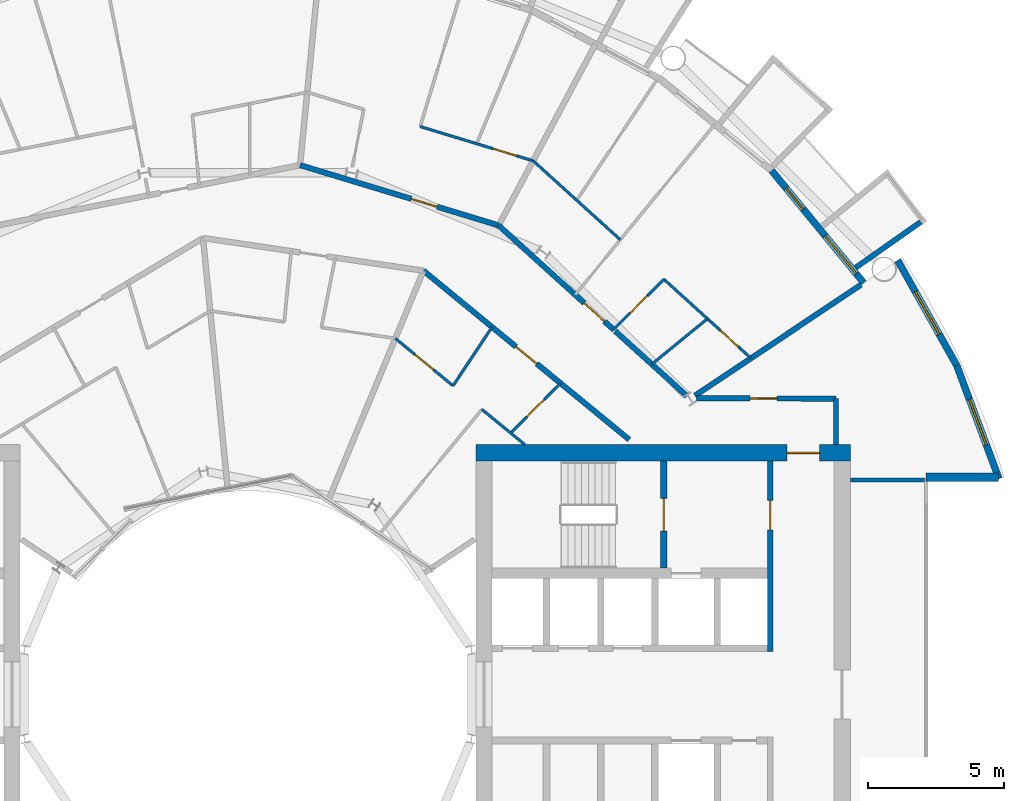
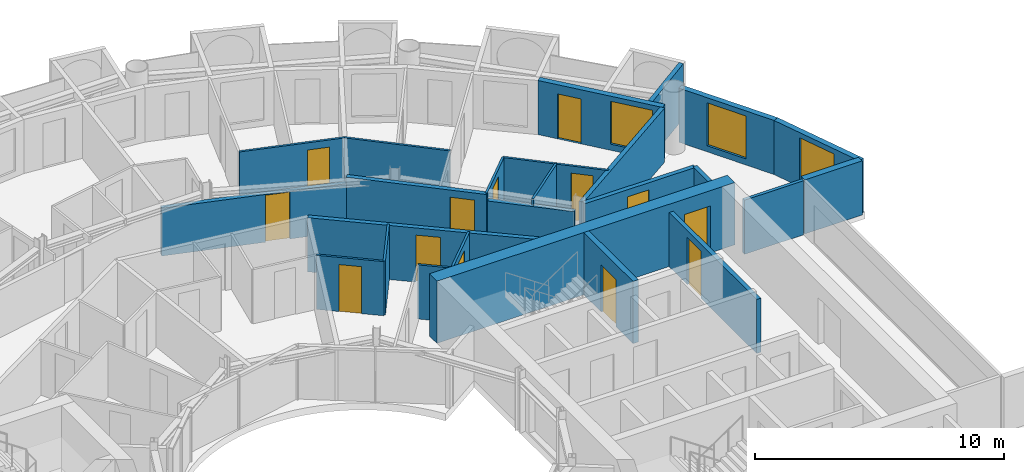
# One storey, part 22 of 27: 25 walls, 13 doors, 3 windows, 16 openings.
"""IFC4 building model written with IfcOpenShell, lengths in metres."""

from ifc_helpers import new_model, si_unit, direction, frame, frame_2d, origin, place, context, subcontext, project, spatial, rectangle, extrude, material, layer, layer_set, type_object, element, fill, save


model = new_model("IFC4")

# Units and contexts
model_context = context("Model", 3, precision=1e-05, world=origin(), true_north=direction((0.0, 1.0)))
body_context = subcontext(model_context, "Body", "Model", "MODEL_VIEW")
ifc_project = project(units=[si_unit("LENGTHUNIT", "METRE"), si_unit("AREAUNIT", "SQUARE_METRE"), si_unit("VOLUMEUNIT", "CUBIC_METRE"), si_unit("PLANEANGLEUNIT", "RADIAN"), si_unit("MASSUNIT", "GRAM", prefix="KILO")], contexts=[model_context])

# Site, building, storey
site_placement = place(None, origin())
site = spatial("IfcSite", under=ifc_project, at=site_placement, CompositionType="ELEMENT")
building_placement = place(site_placement, origin())
building = spatial("IfcBuilding", under=site, at=building_placement, Name="Maasbend Ring Residences", CompositionType="ELEMENT")
storey_placement = place(building_placement, frame((0.0, 0.0, 136.050048828125)))
storey = spatial("IfcBuildingStorey", under=building, at=storey_placement, Name="L39", CompositionType="ELEMENT", Elevation=136.050048828125)

# Wall, opening, door
ifc_material_1 = material(Name="Concrete C60/75", Category="concrete")
ifc_layer_1 = layer(ifc_material_1, 0.25)
ifc_layer_set_1 = layer_set([ifc_layer_1], Name="Concrete C60/75")
wall_type_1 = type_object("IfcWallType", Name="CORE WALL 250 C60/75", PredefinedType="SHEAR", material=ifc_layer_set_1)
wall_1_placement = place(storey_placement, frame((15.324951171875, 4.64990234375, 0.0), z_axis=(0.0, 0.0, 1.0), x_axis=(0.0, 1.0, 0.0)))
wall_1 = element("IfcWall", 1, at=wall_1_placement, inside=storey, type_object=wall_type_1, Name="L39 core E wall STEN", PredefinedType="SHEAR", context=body_context, shape_type="SweptSolid", body=[
    extrude(rectangle(XDim=3.9501953125, YDim=0.25, at=frame_2d((1.97509765625, 0.0))), origin(), (0.0, 0.0, 1.0), 3.050048828125),
])
opening_1_placement = place(wall_1_placement, frame((1.375, 0.0, 0.0)))
opening_1 = element("IfcOpeningElement", 2, at=opening_1_placement, cuts=wall_1, Name="Opening D-E3908", PredefinedType="OPENING", context=body_context, shape_type="SweptSolid", body=[
    extrude(rectangle(XDim=1.199951171875, YDim=2.300048828125, at=frame_2d((0.60009765625, 1.14990234375))), frame((0.0, 0.135009765625, 0.0), z_axis=(0.0, -1.0, 0.0), x_axis=(1.0, 0.0, 0.0)), (0.0, 0.0, 1.0), 0.27001953125),
])
ifc_material_2 = material(Name="Steel, powder coated", Category="steel")
door_type_1 = type_object("IfcDoorType", Name="STAIR DOOR 1200 X 2300 FD60", OperationType="NOTDEFINED", PredefinedType="DOOR", material=ifc_material_2)
door_1_placement = place(opening_1_placement, origin())
door_1 = element("IfcDoor", 3, at=door_1_placement, inside=storey, type_object=door_type_1, Name="Stair door ST-E L39", OperationType="SINGLE_SWING_LEFT", OverallHeight=2.300048828125, OverallWidth=1.199951171875, PredefinedType="DOOR", context=body_context, shape_type="SweptSolid", body=[
    extrude(rectangle(XDim=1.199951171875, YDim=2.300048828125, at=frame_2d((0.60009765625, 1.14990234375))), frame((0.0, 0.02490234375, 0.0), z_axis=(0.0, -1.0, 0.0), x_axis=(1.0, 0.0, 0.0)), (0.0, 0.0, 1.0), 0.050048828125),
])
fill(opening_1, door_1)

ifc_material_3 = material(Name="Concrete C60/75", Category="concrete")
ifc_layer_2 = layer(ifc_material_3, 0.60009765625)
ifc_layer_set_2 = layer_set([ifc_layer_2], Name="Concrete C60/75")
wall_type_2 = type_object("IfcWallType", Name="CORE WALL 600 C60/75", PredefinedType="SHEAR", material=ifc_layer_set_2)
wall_2_placement = place(storey_placement, frame((22.199951171875, 8.89990234375, 0.0), z_axis=(0.0, 0.0, 1.0), x_axis=(-1.0, 0.0, 0.0)))
wall_2 = element("IfcWall", 4, at=wall_2_placement, inside=storey, type_object=wall_type_2, Name="L39 core E wall PN", PredefinedType="SHEAR", context=body_context, shape_type="SweptSolid", body=[
    extrude(rectangle(XDim=13.800048828125, YDim=0.60009765625, at=frame_2d((6.89990234375, 0.0))), origin(), (0.0, 0.0, 1.0), 3.050048828125),
])
opening_2_placement = place(wall_2_placement, frame((1.125, 0.0, 0.0)))
opening_2 = element("IfcOpeningElement", 5, at=opening_2_placement, cuts=wall_2, Name="Opening D-E3912", PredefinedType="OPENING", context=body_context, shape_type="SweptSolid", body=[
    extrude(rectangle(XDim=1.199951171875, YDim=2.300048828125, at=frame_2d((0.60009765625, 1.14990234375))), frame((0.0, 0.31005859375, 0.0), z_axis=(0.0, -1.0, 0.0), x_axis=(1.0, 0.0, 0.0)), (0.0, 0.0, 1.0), 0.6201171875),
])
ifc_material_4 = material(Name="Steel, powder coated", Category="steel")
door_type_2 = type_object("IfcDoorType", Name="CORRIDOR DOOR 1200 X 2300 FD30S", OperationType="NOTDEFINED", PredefinedType="DOOR", material=ifc_material_4)
door_2_placement = place(opening_2_placement, origin())
door_2 = element("IfcDoor", 6, at=door_2_placement, inside=storey, type_object=door_type_2, Name="Corridor door L39", OperationType="SINGLE_SWING_RIGHT", OverallHeight=2.300048828125, OverallWidth=1.199951171875, PredefinedType="DOOR", context=body_context, shape_type="SweptSolid", body=[
    extrude(rectangle(XDim=1.199951171875, YDim=2.300048828125, at=frame_2d((0.60009765625, 1.14990234375))), frame((0.0, 0.02490234375, 0.0), z_axis=(0.0, -1.0, 0.0), x_axis=(1.0, 0.0, 0.0)), (0.0, 0.0, 1.0), 0.050048828125),
])
fill(opening_2, door_2)

# Wall
ifc_material_5 = material(Name="Concrete C30/37", Category="concrete")
ifc_layer_3 = layer(ifc_material_5, 0.199951171875)
ifc_layer_set_3 = layer_set([ifc_layer_3], Name="Concrete C30/37")
wall_type_3 = type_object("IfcWallType", Name="CORRIDOR WALL 200 CONCRETE", PredefinedType="PARTITIONING", material=ifc_layer_set_3)
wall_3_placement = place(storey_placement, frame((21.675048828125, 9.199951171875, 0.0), z_axis=(0.0, 0.0, 1.0), x_axis=(0.0, 1.0, 0.0)))
element("IfcWall", 7, at=wall_3_placement, inside=storey, type_object=wall_type_3, Name="U-L39-w004", PredefinedType="PARTITIONING", context=body_context, shape_type="SweptSolid", body=[
    extrude(rectangle(XDim=1.699951171875, YDim=0.199951171875, at=frame_2d((0.85009765625, 0.0))), origin(), (0.0, 0.0, 1.0), 2.64990234375),
])

# Wall, opening, door
wall_4_placement = place(storey_placement, frame((16.5400390625, 10.9130859375, 0.0), z_axis=(0.0, 0.0, 1.0), x_axis=(0.99999670426, -0.002567385634, 0.0)))
wall_4 = element("IfcWall", 8, at=wall_4_placement, inside=storey, type_object=wall_type_3, Name="U-L39-w099", PredefinedType="PARTITIONING", context=body_context, shape_type="SweptSolid", body=[
    extrude(rectangle(XDim=5.135009765625, YDim=0.199951171875, at=frame_2d((2.5673828125, 0.0))), origin(), (0.0, 0.0, 1.0), 2.64990234375),
])
opening_3_placement = place(wall_4_placement, frame((1.965087890625, 0.0, 0.0)))
opening_3 = element("IfcOpeningElement", 9, at=opening_3_placement, cuts=wall_4, Name="Opening D-3974", PredefinedType="OPENING", context=body_context, shape_type="SweptSolid", body=[
    extrude(rectangle(XDim=1.0, YDim=2.300048828125, at=frame_2d((0.5, 1.14990234375))), frame((0.0, 0.10986328125, 0.0), z_axis=(0.0, -1.0, 0.0), x_axis=(1.0, 0.0, 0.0)), (0.0, 0.0, 1.0), 0.219970703125),
])
ifc_material_6 = material(Name="Timber, painted", Category="wood")
door_type_3 = type_object("IfcDoorType", Name="ROOM DOOR 1000 X 2300", OperationType="NOTDEFINED", PredefinedType="DOOR", material=ifc_material_6)
door_3_placement = place(opening_3_placement, origin())
door_3 = element("IfcDoor", 10, at=door_3_placement, inside=storey, type_object=door_type_3, Name="D-3974", OperationType="SINGLE_SWING_LEFT", OverallHeight=2.300048828125, OverallWidth=1.0, PredefinedType="DOOR", context=body_context, shape_type="SweptSolid", body=[
    extrude(rectangle(XDim=1.0, YDim=2.300048828125, at=frame_2d((0.5, 1.14990234375))), frame((0.0, 0.02490234375, 0.0), z_axis=(0.0, -1.0, 0.0), x_axis=(1.0, 0.0, 0.0)), (0.0, 0.0, 1.0), 0.050048828125),
])
fill(opening_3, door_3)

wall_5_placement = place(storey_placement, frame((6.469970703125, 15.613037109375, 0.0), z_axis=(0.0, 0.0, 1.0), x_axis=(0.77292501819, -0.634497372931, 0.0)))
wall_5 = element("IfcWall", 11, at=wall_5_placement, inside=storey, type_object=wall_type_3, Name="U-L39-w107", PredefinedType="PARTITIONING", context=body_context, shape_type="SweptSolid", body=[
    extrude(rectangle(XDim=9.8095703125, YDim=0.199951171875, at=frame_2d((4.90478515625, 0.0))), origin(), (0.0, 0.0, 1.0), 2.64990234375),
])
opening_4_placement = place(wall_5_placement, frame((4.404052734375, 0.0, 0.0)))
opening_4 = element("IfcOpeningElement", 12, at=opening_4_placement, cuts=wall_5, Name="Opening D-3924", PredefinedType="OPENING", context=body_context, shape_type="SweptSolid", body=[
    extrude(rectangle(XDim=1.0, YDim=2.300048828125, at=frame_2d((0.5, 1.14990234375))), frame((0.0, 0.10986328125, 0.0), z_axis=(0.0, -1.0, 0.0), x_axis=(1.0, 0.0, 0.0)), (0.0, 0.0, 1.0), 0.219970703125),
])
ifc_material_7 = material(Name="Timber, fire-rated, painted", Category="wood")
door_type_4 = type_object("IfcDoorType", Name="FLAT ENTRANCE DOOR 1000 X 2300 FIRE-RATED", OperationType="NOTDEFINED", PredefinedType="DOOR", material=ifc_material_7)
door_4_placement = place(opening_4_placement, origin())
door_4 = element("IfcDoor", 13, at=door_4_placement, inside=storey, type_object=door_type_4, Name="D-3924", OperationType="SINGLE_SWING_LEFT", OverallHeight=2.300048828125, OverallWidth=1.0, PredefinedType="DOOR", context=body_context, shape_type="SweptSolid", body=[
    extrude(rectangle(XDim=1.0, YDim=2.300048828125, at=frame_2d((0.5, 1.14990234375))), frame((0.0, 0.02490234375, 0.0), z_axis=(0.0, -1.0, 0.0), x_axis=(1.0, 0.0, 0.0)), (0.0, 0.0, 1.0), 0.050048828125),
])
fill(opening_4, door_4)

wall_6_placement = place(storey_placement, frame((9.23193359375, 17.2890625, 0.0), z_axis=(0.0, 0.0, 1.0), x_axis=(0.741112328493, -0.67138105168, 0.0)))
wall_6 = element("IfcWall", 14, at=wall_6_placement, inside=storey, type_object=wall_type_3, Name="U-L39-w114", PredefinedType="PARTITIONING", context=body_context, shape_type="SweptSolid", body=[
    extrude(rectangle(XDim=5.75244140625, YDim=0.199951171875, at=frame_2d((2.876220703125, 0.0))), origin(), (0.0, 0.0, 1.0), 2.64990234375),
])
opening_5_placement = place(wall_6_placement, frame((4.27001953125, 0.0, 0.0)))
opening_5 = element("IfcOpeningElement", 15, at=opening_5_placement, cuts=wall_6, Name="Opening D-3901", PredefinedType="OPENING", context=body_context, shape_type="SweptSolid", body=[
    extrude(rectangle(XDim=1.0, YDim=2.300048828125, at=frame_2d((0.5, 1.14990234375))), frame((0.0, 0.10986328125, 0.0), z_axis=(0.0, -1.0, 0.0), x_axis=(1.0, 0.0, 0.0)), (0.0, 0.0, 1.0), 0.219970703125),
])
door_5_placement = place(opening_5_placement, origin())
door_5 = element("IfcDoor", 16, at=door_5_placement, inside=storey, type_object=door_type_4, Name="D-3901", OperationType="SINGLE_SWING_RIGHT", OverallHeight=2.300048828125, OverallWidth=1.0, PredefinedType="DOOR", context=body_context, shape_type="SweptSolid", body=[
    extrude(rectangle(XDim=1.0, YDim=2.300048828125, at=frame_2d((0.5, 1.14990234375))), frame((0.0, 0.02490234375, 0.0), z_axis=(0.0, -1.0, 0.0), x_axis=(1.0, 0.0, 0.0)), (0.0, 0.0, 1.0), 0.050048828125),
])
fill(opening_5, door_5)

# Wall
wall_7_placement = place(storey_placement, frame((13.531005859375, 13.39404296875, 0.0), z_axis=(0.0, 0.0, 1.0), x_axis=(0.741095315462, -0.671399831249, 0.0)))
element("IfcWall", 17, at=wall_7_placement, inside=storey, type_object=wall_type_3, Name="U-L39-w115", PredefinedType="PARTITIONING", context=body_context, shape_type="SweptSolid", body=[
    extrude(rectangle(XDim=3.572998046875, YDim=0.199951171875, at=frame_2d((1.78662109375, 0.0))), origin(), (0.0, 0.0, 1.0), 2.33984375),
])

# Wall, opening, door
wall_8_placement = place(storey_placement, frame((1.9208984375, 19.506103515625, 0.0), z_axis=(0.0, 0.0, 1.0), x_axis=(0.956929842753, -0.290319265721, 0.0)))
wall_8 = element("IfcWall", 18, at=wall_8_placement, inside=storey, type_object=wall_type_3, Name="U-L39-w116", PredefinedType="PARTITIONING", context=body_context, shape_type="SweptSolid", body=[
    extrude(rectangle(XDim=7.6474609375, YDim=0.199951171875, at=frame_2d((3.82373046875, 0.0))), origin(), (0.0, 0.0, 1.0), 2.33984375),
])
opening_6_placement = place(wall_8_placement, frame((4.280029296875, 0.0, 0.0)))
opening_6 = element("IfcOpeningElement", 19, at=opening_6_placement, cuts=wall_8, Name="Opening D-3907", PredefinedType="OPENING", context=body_context, shape_type="SweptSolid", body=[
    extrude(rectangle(XDim=1.0, YDim=2.300048828125, at=frame_2d((0.5, 1.14990234375))), frame((0.0, 0.10986328125, 0.0), z_axis=(0.0, -1.0, 0.0), x_axis=(1.0, 0.0, 0.0)), (0.0, 0.0, 1.0), 0.219970703125),
])
door_6_placement = place(opening_6_placement, origin())
door_6 = element("IfcDoor", 20, at=door_6_placement, inside=storey, type_object=door_type_4, Name="D-3907", OperationType="SINGLE_SWING_RIGHT", OverallHeight=2.300048828125, OverallWidth=1.0, PredefinedType="DOOR", context=body_context, shape_type="SweptSolid", body=[
    extrude(rectangle(XDim=1.0, YDim=2.300048828125, at=frame_2d((0.5, 1.14990234375))), frame((0.0, 0.02490234375, 0.0), z_axis=(0.0, -1.0, 0.0), x_axis=(1.0, 0.0, 0.0)), (0.0, 0.0, 1.0), 0.050048828125),
])
fill(opening_6, door_6)

# Wall
ifc_material_8 = material(Name="Pale anodised aluminium panel", Category="aluminium")
ifc_layer_4 = layer(ifc_material_8, 0.199951171875)
ifc_layer_set_4 = layer_set([ifc_layer_4], Name="EW-BOX")
wall_type_4 = type_object("IfcWallType", Name="EW-BOX", PredefinedType="SOLIDWALL", material=ifc_layer_set_4)
wall_9_placement = place(storey_placement, frame((22.402099609375, 15.72607421875, -0.030029296875), z_axis=(0.0, 0.0, 1.0), x_axis=(0.818275399393, 0.574826383135, 0.0)))
element("IfcWall", 21, at=wall_9_placement, inside=storey, type_object=wall_type_4, Name="Box side wall N01 left", PredefinedType="SOLIDWALL", context=body_context, shape_type="SweptSolid", body=[
    extrude(rectangle(XDim=2.92919921875, YDim=0.199951171875, at=frame_2d((1.464599609375, 0.0))), origin(), (0.0, 0.0, 1.0), 2.679931640625),
])

# Wall, openings, door, window
ifc_material_9 = material(Name="Aluminium clad insulated panel", Category="aluminium")
ifc_layer_5 = layer(ifc_material_9, 0.25)
ifc_layer_set_5 = layer_set([ifc_layer_5], Name="EW-GL")
wall_type_5 = type_object("IfcWallType", Name="EW-GL", PredefinedType="SOLIDWALL", material=ifc_layer_set_5)
wall_10_placement = place(storey_placement, frame((22.698974609375, 15.1669921875, 0.0), z_axis=(0.0, 0.0, 1.0), x_axis=(-0.634382322723, 0.773019449054, 0.0)))
wall_10 = element("IfcWall", 22, at=wall_10_placement, inside=storey, type_object=wall_type_5, Name="External wall N01", PredefinedType="SOLIDWALL", context=body_context, shape_type="SweptSolid", body=[
    extrude(rectangle(XDim=5.351806640625, YDim=0.25, at=frame_2d((2.67578125, 0.0))), origin(), (0.0, 0.0, 1.0), 2.64990234375),
])
opening_7_placement = place(wall_10_placement, frame((0.441162109375, 0.0, 0.300048828125)))
opening_7 = element("IfcOpeningElement", 23, at=opening_7_placement, cuts=wall_10, Name="Opening W-BX", PredefinedType="OPENING", context=body_context, shape_type="SweptSolid", body=[
    extrude(rectangle(XDim=1.800048828125, YDim=2.10009765625, at=frame_2d((0.89990234375, 1.050048828125))), frame((0.0, 0.135009765625, 0.0), z_axis=(0.0, -1.0, 0.0), x_axis=(1.0, 0.0, 0.0)), (0.0, 0.0, 1.0), 0.27001953125),
])
opening_8_placement = place(wall_10_placement, frame((3.510498046875, 0.0, 0.0)))
opening_8 = element("IfcOpeningElement", 24, at=opening_8_placement, cuts=wall_10, Name="Opening D-LG", PredefinedType="OPENING", context=body_context, shape_type="SweptSolid", body=[
    extrude(rectangle(XDim=1.0, YDim=2.199951171875, at=frame_2d((0.5, 1.10009765625))), frame((0.0, 0.135009765625, 0.0), z_axis=(0.0, -1.0, 0.0), x_axis=(1.0, 0.0, 0.0)), (0.0, 0.0, 1.0), 0.27001953125),
])
ifc_material_10 = material(Name="Aluminium and clear glass", Category="aluminium")
door_type_5 = type_object("IfcDoorType", Name="D-LG", OperationType="SINGLE_SWING_LEFT", PredefinedType="DOOR", material=ifc_material_10)
door_7_placement = place(opening_8_placement, origin())
door_7 = element("IfcDoor", 25, at=door_7_placement, inside=storey, type_object=door_type_5, Name="Loggia door N02", OperationType="SINGLE_SWING_LEFT", OverallHeight=2.199951171875, OverallWidth=1.0, PredefinedType="DOOR", context=body_context, shape_type="SweptSolid", body=[
    extrude(rectangle(XDim=1.0, YDim=2.199951171875, at=frame_2d((0.5, 1.10009765625))), frame((0.0, 0.02490234375, 0.0), z_axis=(0.0, -1.0, 0.0), x_axis=(1.0, 0.0, 0.0)), (0.0, 0.0, 1.0), 0.050048828125),
])
fill(opening_8, door_7)
ifc_material_11 = material(Name="Aluminium and clear glass", Category="aluminium")
window_type = type_object("IfcWindowType", Name="W-BX", PartitioningType="DOUBLE_PANEL_VERTICAL", PredefinedType="WINDOW", material=ifc_material_11)
window_1_placement = place(opening_7_placement, origin())
window_1 = element("IfcWindow", 26, at=window_1_placement, inside=storey, type_object=window_type, Name="Window N01 room to box", OverallHeight=2.10009765625, OverallWidth=1.800048828125, PartitioningType="SINGLE_PANEL", PredefinedType="WINDOW", context=body_context, shape_type="SweptSolid", body=[
    extrude(rectangle(XDim=1.800048828125, YDim=2.10009765625, at=frame_2d((0.89990234375, 1.050048828125))), frame((0.0, 0.030029296875, 0.0), z_axis=(0.0, -1.0, 0.0), x_axis=(1.0, 0.0, 0.0)), (0.0, 0.0, 1.0), 0.06005859375),
])
fill(opening_7, window_1)

# Wall, opening, window
ifc_material_12 = material(Name="Aluminium clad insulated panel", Category="aluminium")
ifc_layer_6 = layer(ifc_material_12, 0.25)
ifc_layer_set_6 = layer_set([ifc_layer_6], Name="EW-HORN")
wall_type_6 = type_object("IfcWallType", Name="EW-HORN", PredefinedType="SOLIDWALL", material=ifc_layer_set_6)
wall_11_placement = place(storey_placement, frame((27.681884765625, 7.945068359375, 0.0), z_axis=(0.0, 0.0, 1.0), x_axis=(-0.349247811493, 0.937030397675, 0.0)))
wall_11 = element("IfcWall", 27, at=wall_11_placement, inside=storey, type_object=wall_type_6, Name="Horn wall 1.1", PredefinedType="SOLIDWALL", context=body_context, shape_type="SweptSolid", body=[
    extrude(rectangle(XDim=4.4521484375, YDim=0.25, at=frame_2d((2.22607421875, 0.0))), origin(), (0.0, 0.0, 1.0), 2.64990234375),
])
opening_9_placement = place(wall_11_placement, frame((1.32666015625, 0.0, 0.300048828125)))
opening_9 = element("IfcOpeningElement", 28, at=opening_9_placement, cuts=wall_11, Name="Opening W-BX", PredefinedType="OPENING", context=body_context, shape_type="SweptSolid", body=[
    extrude(rectangle(XDim=1.800048828125, YDim=2.10009765625, at=frame_2d((0.89990234375, 1.050048828125))), frame((0.0, 0.135009765625, 0.0), z_axis=(0.0, -1.0, 0.0), x_axis=(1.0, 0.0, 0.0)), (0.0, 0.0, 1.0), 0.27001953125),
])
window_2_placement = place(opening_9_placement, origin())
window_2 = element("IfcWindow", 29, at=window_2_placement, inside=storey, type_object=window_type, Name="Horn window 1.1", OverallHeight=2.10009765625, OverallWidth=1.800048828125, PartitioningType="SINGLE_PANEL", PredefinedType="WINDOW", context=body_context, shape_type="SweptSolid", body=[
    extrude(rectangle(XDim=1.800048828125, YDim=2.10009765625, at=frame_2d((0.89990234375, 1.050048828125))), frame((0.0, 0.030029296875, 0.0), z_axis=(0.0, -1.0, 0.0), x_axis=(1.0, 0.0, 0.0)), (0.0, 0.0, 1.0), 0.06005859375),
])
fill(opening_9, window_2)

wall_12_placement = place(storey_placement, frame((26.126953125, 12.116943359375, 0.0), z_axis=(0.0, 0.0, 1.0), x_axis=(-0.489696356642, 0.871893042919, 0.0)))
wall_12 = element("IfcWall", 30, at=wall_12_placement, inside=storey, type_object=wall_type_6, Name="Horn wall 1.2", PredefinedType="SOLIDWALL", context=body_context, shape_type="SweptSolid", body=[
    extrude(rectangle(XDim=4.45361328125, YDim=0.25, at=frame_2d((2.226806640625, 0.0))), origin(), (0.0, 0.0, 1.0), 2.64990234375),
])
opening_10_placement = place(wall_12_placement, frame((1.32666015625, 0.0, 0.300048828125)))
opening_10 = element("IfcOpeningElement", 31, at=opening_10_placement, cuts=wall_12, Name="Opening W-BX", PredefinedType="OPENING", context=body_context, shape_type="SweptSolid", body=[
    extrude(rectangle(XDim=1.800048828125, YDim=2.10009765625, at=frame_2d((0.89990234375, 1.050048828125))), frame((0.0, 0.135009765625, 0.0), z_axis=(0.0, -1.0, 0.0), x_axis=(1.0, 0.0, 0.0)), (0.0, 0.0, 1.0), 0.27001953125),
])
window_3_placement = place(opening_10_placement, origin())
window_3 = element("IfcWindow", 32, at=window_3_placement, inside=storey, type_object=window_type, Name="Horn window 1.2", OverallHeight=2.10009765625, OverallWidth=1.800048828125, PartitioningType="SINGLE_PANEL", PredefinedType="WINDOW", context=body_context, shape_type="SweptSolid", body=[
    extrude(rectangle(XDim=1.800048828125, YDim=2.10009765625, at=frame_2d((0.89990234375, 1.050048828125))), frame((0.0, 0.030029296875, 0.0), z_axis=(0.0, -1.0, 0.0), x_axis=(1.0, 0.0, 0.0)), (0.0, 0.0, 1.0), 0.06005859375),
])
fill(opening_10, window_3)

# Walls
ifc_material_13 = material(Name="Aluminium clad insulated panel", Category="aluminium")
ifc_layer_7 = layer(ifc_material_13, 0.300048828125)
ifc_layer_set_7 = layer_set([ifc_layer_7], Name="EW-RET")
wall_type_7 = type_object("IfcWallType", Name="EW-RET", PredefinedType="SOLIDWALL", material=ifc_layer_set_7)
wall_13_placement = place(storey_placement, frame((25.0, 8.0, 0.0), z_axis=(0.0, 0.0, 1.0), x_axis=(1.0, 0.0, 0.0)))
element("IfcWall", 33, at=wall_13_placement, inside=storey, type_object=wall_type_7, Name="Notch return wall east north", PredefinedType="SOLIDWALL", context=body_context, shape_type="SweptSolid", body=[
    extrude(rectangle(XDim=2.6669921875, YDim=0.300048828125, at=frame_2d((1.33349609375, 0.0))), origin(), (0.0, 0.0, 1.0), 2.64990234375),
])
ifc_material_14 = material(Name="Gypsum board on steel studs", Category="steel")
ifc_layer_8 = layer(ifc_material_14, 0.10009765625)
ifc_layer_set_8 = layer_set([ifc_layer_8], Name="PARTITION 100 GYPSUM")
wall_type_8 = type_object("IfcWallType", Name="PARTITION 100 GYPSUM", PredefinedType="PARTITIONING", material=ifc_layer_set_8)
wall_14_placement = place(storey_placement, frame((7.56005859375, 11.375, 0.0), z_axis=(0.0, 0.0, 1.0), x_axis=(0.553354377247, 0.83294593653, 0.0)))
element("IfcWall", 34, at=wall_14_placement, inside=storey, type_object=wall_type_8, Name="U-L39-w079", PredefinedType="PARTITIONING", context=body_context, shape_type="SweptSolid", body=[
    extrude(rectangle(XDim=2.596923828125, YDim=0.10009765625, at=frame_2d((1.29833984375, 0.0))), origin(), (0.0, 0.0, 1.0), 2.64990234375),
])

# Wall, opening, door
wall_15_placement = place(storey_placement, frame((9.68310546875, 9.632080078125, 0.0), z_axis=(0.0, 0.0, 1.0), x_axis=(0.708796844581, 0.705412668665, 0.0)))
wall_15 = element("IfcWall", 35, at=wall_15_placement, inside=storey, type_object=wall_type_8, Name="U-L39-w085", PredefinedType="PARTITIONING", context=body_context, shape_type="SweptSolid", body=[
    extrude(rectangle(XDim=2.59716796875, YDim=0.10009765625, at=frame_2d((1.298583984375, 0.0))), origin(), (0.0, 0.0, 1.0), 2.64990234375),
])
opening_11_placement = place(wall_15_placement, frame((0.84912109375, 0.0, 0.0)))
opening_11 = element("IfcOpeningElement", 36, at=opening_11_placement, cuts=wall_15, Name="Opening D-3926", PredefinedType="OPENING", context=body_context, shape_type="SweptSolid", body=[
    extrude(rectangle(XDim=0.89990234375, YDim=2.300048828125, at=frame_2d((0.449951171875, 1.14990234375))), frame((0.0, 0.06005859375, 0.0), z_axis=(0.0, -1.0, 0.0), x_axis=(1.0, 0.0, 0.0)), (0.0, 0.0, 1.0), 0.1201171875),
])
ifc_material_15 = material(Name="Timber, painted", Category="wood")
door_type_6 = type_object("IfcDoorType", Name="INTERNAL DOOR 900 X 2300", OperationType="NOTDEFINED", PredefinedType="DOOR", material=ifc_material_15)
door_8_placement = place(opening_11_placement, origin())
door_8 = element("IfcDoor", 37, at=door_8_placement, inside=storey, type_object=door_type_6, Name="D-3926", OperationType="SINGLE_SWING_LEFT", OverallHeight=2.300048828125, OverallWidth=0.89990234375, PredefinedType="DOOR", context=body_context, shape_type="SweptSolid", body=[
    extrude(rectangle(XDim=0.89990234375, YDim=2.300048828125, at=frame_2d((0.449951171875, 1.14990234375))), frame((0.0, 0.02490234375, 0.0), z_axis=(0.0, -1.0, 0.0), x_axis=(1.0, 0.0, 0.0)), (0.0, 0.0, 1.0), 0.050048828125),
])
fill(opening_11, door_8)

wall_16_placement = place(storey_placement, frame((13.47412109375, 13.447998046875, 0.0), z_axis=(0.0, 0.0, 1.0), x_axis=(0.707851299421, 0.706361478217, 0.0)))
wall_16 = element("IfcWall", 38, at=wall_16_placement, inside=storey, type_object=wall_type_8, Name="U-L39-w091", PredefinedType="PARTITIONING", context=body_context, shape_type="SweptSolid", body=[
    extrude(rectangle(XDim=2.6220703125, YDim=0.10009765625, at=frame_2d((1.31103515625, 0.0))), origin(), (0.0, 0.0, 1.0), 2.64990234375),
])
opening_12_placement = place(wall_16_placement, frame((0.861083984375, 0.0, 0.0)))
opening_12 = element("IfcOpeningElement", 39, at=opening_12_placement, cuts=wall_16, Name="Opening D-3903", PredefinedType="OPENING", context=body_context, shape_type="SweptSolid", body=[
    extrude(rectangle(XDim=0.89990234375, YDim=2.300048828125, at=frame_2d((0.449951171875, 1.14990234375))), frame((0.0, 0.06005859375, 0.0), z_axis=(0.0, -1.0, 0.0), x_axis=(1.0, 0.0, 0.0)), (0.0, 0.0, 1.0), 0.1201171875),
])
door_9_placement = place(opening_12_placement, origin())
door_9 = element("IfcDoor", 40, at=door_9_placement, inside=storey, type_object=door_type_6, Name="D-3903", OperationType="SINGLE_SWING_LEFT", OverallHeight=2.300048828125, OverallWidth=0.89990234375, PredefinedType="DOOR", context=body_context, shape_type="SweptSolid", body=[
    extrude(rectangle(XDim=0.89990234375, YDim=2.300048828125, at=frame_2d((0.449951171875, 1.14990234375))), frame((0.0, 0.02490234375, 0.0), z_axis=(0.0, -1.0, 0.0), x_axis=(1.0, 0.0, 0.0)), (0.0, 0.0, 1.0), 0.050048828125),
])
fill(opening_12, door_9)

# Wall
wall_17_placement = place(storey_placement, frame((14.885009765625, 12.16796875, 0.0), z_axis=(0.0, 0.0, 1.0), x_axis=(0.774162545943, 0.632986850147, 0.0)))
element("IfcWall", 41, at=wall_17_placement, inside=storey, type_object=wall_type_8, Name="U-L39-w093", PredefinedType="PARTITIONING", context=body_context, shape_type="SweptSolid", body=[
    extrude(rectangle(XDim=2.6494140625, YDim=0.10009765625, at=frame_2d((1.32470703125, 0.0))), origin(), (0.0, 0.0, 1.0), 2.64990234375),
])

# Wall, opening, door
wall_18_placement = place(storey_placement, frame((5.430908203125, 13.1201171875, 0.0), z_axis=(0.0, 0.0, 1.0), x_axis=(0.773149312811, -0.634224045665, 0.0)))
wall_18 = element("IfcWall", 42, at=wall_18_placement, inside=storey, type_object=wall_type_8, Name="U-L39-w102", PredefinedType="PARTITIONING", context=body_context, shape_type="SweptSolid", body=[
    extrude(rectangle(XDim=2.74853515625, YDim=0.10009765625, at=frame_2d((1.374267578125, 0.0))), origin(), (0.0, 0.0, 1.0), 2.64990234375),
])
opening_13_placement = place(wall_18_placement, frame((0.927001953125, 0.0, 0.0)))
opening_13 = element("IfcOpeningElement", 43, at=opening_13_placement, cuts=wall_18, Name="Opening D-3925", PredefinedType="OPENING", context=body_context, shape_type="SweptSolid", body=[
    extrude(rectangle(XDim=0.89990234375, YDim=2.300048828125, at=frame_2d((0.449951171875, 1.14990234375))), frame((0.0, 0.06005859375, 0.0), z_axis=(0.0, -1.0, 0.0), x_axis=(1.0, 0.0, 0.0)), (0.0, 0.0, 1.0), 0.1201171875),
])
door_10_placement = place(opening_13_placement, origin())
door_10 = element("IfcDoor", 44, at=door_10_placement, inside=storey, type_object=door_type_6, Name="D-3925", OperationType="SINGLE_SWING_RIGHT", OverallHeight=2.300048828125, OverallWidth=0.89990234375, PredefinedType="DOOR", context=body_context, shape_type="SweptSolid", body=[
    extrude(rectangle(XDim=0.89990234375, YDim=2.300048828125, at=frame_2d((0.449951171875, 1.14990234375))), frame((0.0, 0.02490234375, 0.0), z_axis=(0.0, -1.0, 0.0), x_axis=(1.0, 0.0, 0.0)), (0.0, 0.0, 1.0), 0.050048828125),
])
fill(opening_13, door_10)

# Walls
wall_19_placement = place(storey_placement, frame((8.617919921875, 10.506103515625, 0.0), z_axis=(0.0, 0.0, 1.0), x_axis=(0.772998703631, -0.634407600983, 0.0)))
element("IfcWall", 45, at=wall_19_placement, inside=storey, type_object=wall_type_8, Name="U-L39-w103", PredefinedType="PARTITIONING", context=body_context, shape_type="SweptSolid", body=[
    extrude(rectangle(XDim=2.0556640625, YDim=0.10009765625, at=frame_2d((1.02783203125, 0.0))), origin(), (0.0, 0.0, 1.0), 2.64990234375),
])
wall_20_placement = place(storey_placement, frame((10.509033203125, 19.6689453125, 0.0), z_axis=(0.0, 0.0, 1.0), x_axis=(0.7410823244, -0.671414170584, 0.0)))
element("IfcWall", 46, at=wall_20_placement, inside=storey, type_object=wall_type_8, Name="U-L39-w121", PredefinedType="PARTITIONING", context=body_context, shape_type="SweptSolid", body=[
    extrude(rectangle(XDim=4.33837890625, YDim=0.10009765625, at=frame_2d((2.169189453125, 0.0))), origin(), (0.0, 0.0, 1.0), 2.64990234375),
])

# Wall, opening, door
wall_21_placement = place(storey_placement, frame((15.330078125, 15.300048828125, 0.0), z_axis=(0.0, 0.0, 1.0), x_axis=(0.740948416939, -0.671561943112, 0.0)))
wall_21 = element("IfcWall", 47, at=wall_21_placement, inside=storey, type_object=wall_type_8, Name="U-L39-w122", PredefinedType="PARTITIONING", context=body_context, shape_type="SweptSolid", body=[
    extrude(rectangle(XDim=4.3349609375, YDim=0.10009765625, at=frame_2d((2.16748046875, 0.0))), origin(), (0.0, 0.0, 1.0), 2.64990234375),
])
opening_14_placement = place(wall_21_placement, frame((2.802978515625, 0.0, 0.0)))
opening_14 = element("IfcOpeningElement", 48, at=opening_14_placement, cuts=wall_21, Name="Opening D-3902", PredefinedType="OPENING", context=body_context, shape_type="SweptSolid", body=[
    extrude(rectangle(XDim=0.89990234375, YDim=2.300048828125, at=frame_2d((0.449951171875, 1.14990234375))), frame((0.0, 0.06005859375, 0.0), z_axis=(0.0, -1.0, 0.0), x_axis=(1.0, 0.0, 0.0)), (0.0, 0.0, 1.0), 0.1201171875),
])
door_11_placement = place(opening_14_placement, origin())
door_11 = element("IfcDoor", 49, at=door_11_placement, inside=storey, type_object=door_type_6, Name="D-3902", OperationType="SINGLE_SWING_RIGHT", OverallHeight=2.300048828125, OverallWidth=0.89990234375, PredefinedType="DOOR", context=body_context, shape_type="SweptSolid", body=[
    extrude(rectangle(XDim=0.89990234375, YDim=2.300048828125, at=frame_2d((0.449951171875, 1.14990234375))), frame((0.0, 0.02490234375, 0.0), z_axis=(0.0, -1.0, 0.0), x_axis=(1.0, 0.0, 0.0)), (0.0, 0.0, 1.0), 0.050048828125),
])
fill(opening_14, door_11)

wall_22_placement = place(storey_placement, frame((6.35107421875, 20.927978515625, 0.0), z_axis=(0.0, 0.0, 1.0), x_axis=(0.956861661621, -0.290543904633, 0.0)))
wall_22 = element("IfcWall", 50, at=wall_22_placement, inside=storey, type_object=wall_type_8, Name="U-L39-w126", PredefinedType="PARTITIONING", context=body_context, shape_type="SweptSolid", body=[
    extrude(rectangle(XDim=4.35693359375, YDim=0.10009765625, at=frame_2d((2.178466796875, 0.0))), origin(), (0.0, 0.0, 1.0), 2.64990234375),
])
opening_15_placement = place(wall_22_placement, frame((2.81201171875, 0.0, 0.0)))
opening_15 = element("IfcOpeningElement", 51, at=opening_15_placement, cuts=wall_22, Name="Opening D-3910", PredefinedType="OPENING", context=body_context, shape_type="SweptSolid", body=[
    extrude(rectangle(XDim=0.89990234375, YDim=2.300048828125, at=frame_2d((0.449951171875, 1.14990234375))), frame((0.0, 0.06005859375, 0.0), z_axis=(0.0, -1.0, 0.0), x_axis=(1.0, 0.0, 0.0)), (0.0, 0.0, 1.0), 0.1201171875),
])
door_12_placement = place(opening_15_placement, origin())
door_12 = element("IfcDoor", 52, at=door_12_placement, inside=storey, type_object=door_type_6, Name="D-3910", OperationType="SINGLE_SWING_RIGHT", OverallHeight=2.300048828125, OverallWidth=0.89990234375, PredefinedType="DOOR", context=body_context, shape_type="SweptSolid", body=[
    extrude(rectangle(XDim=0.89990234375, YDim=2.300048828125, at=frame_2d((0.449951171875, 1.14990234375))), frame((0.0, 0.02490234375, 0.0), z_axis=(0.0, -1.0, 0.0), x_axis=(1.0, 0.0, 0.0)), (0.0, 0.0, 1.0), 0.050048828125),
])
fill(opening_15, door_12)

# Walls
ifc_material_16 = material(Name="Gypsum board on steel studs", Category="steel")
ifc_layer_9 = layer(ifc_material_16, 0.14990234375)
ifc_layer_set_9 = layer_set([ifc_layer_9], Name="PARTITION 150 EI 60")
wall_type_9 = type_object("IfcWallType", Name="PARTITION 150 EI 60", PredefinedType="PARTITIONING", material=ifc_layer_set_9)
wall_23_placement = place(storey_placement, frame((22.199951171875, 7.89990234375, 0.0), z_axis=(0.0, 0.0, 1.0), x_axis=(1.0, 0.0, 0.0)))
element("IfcWall", 53, at=wall_23_placement, inside=storey, type_object=wall_type_9, Name="L39 core E wall CITN", PredefinedType="PARTITIONING", context=body_context, shape_type="SweptSolid", body=[
    extrude(rectangle(XDim=2.739990234375, YDim=0.14990234375, at=frame_2d((1.3701171875, 0.0))), origin(), (0.0, 0.0, 1.0), 2.64990234375),
])
ifc_material_17 = material(Name="Concrete C30/37", Category="concrete")
ifc_layer_10 = layer(ifc_material_17, 0.199951171875)
ifc_layer_set_10 = layer_set([ifc_layer_10], Name="Concrete C30/37")
wall_type_10 = type_object("IfcWallType", Name="PARTY WALL 200 CONCRETE", PredefinedType="PARTITIONING", material=ifc_layer_set_10)
wall_24_placement = place(storey_placement, frame((16.47705078125, 11.009033203125, 0.0), z_axis=(0.0, 0.0, 1.0), x_axis=(0.831406593008, 0.555664536482, 0.0)))
element("IfcWall", 54, at=wall_24_placement, inside=storey, type_object=wall_type_10, Name="U-L39-w095", PredefinedType="PARTITIONING", context=body_context, shape_type="SweptSolid", body=[
    extrude(rectangle(XDim=7.3583984375, YDim=0.199951171875, at=frame_2d((3.67919921875, 0.0))), origin(), (0.0, 0.0, 1.0), 2.64990234375),
])

# Wall, opening, door
ifc_material_18 = material(Name="Concrete C30/37", Category="concrete")
ifc_layer_11 = layer(ifc_material_18, 0.199951171875)
ifc_layer_set_11 = layer_set([ifc_layer_11], Name="Concrete C30/37")
wall_type_11 = type_object("IfcWallType", Name="SHAFT WALL 200 EI 120", PredefinedType="SOLIDWALL", material=ifc_layer_set_11)
wall_25_placement = place(storey_placement, frame((19.25, 1.574951171875, 0.0), z_axis=(0.0, 0.0, 1.0), x_axis=(0.0, 1.0, 0.0)))
wall_25 = element("IfcWall", 55, at=wall_25_placement, inside=storey, type_object=wall_type_11, Name="L39 core E wall ENDN", PredefinedType="SOLIDWALL", context=body_context, shape_type="SweptSolid", body=[
    extrude(rectangle(XDim=7.025146484375, YDim=0.199951171875, at=frame_2d((3.5126953125, 0.0))), origin(), (0.0, 0.0, 1.0), 2.64990234375),
])
opening_16_placement = place(wall_25_placement, frame((4.47509765625, 0.0, 0.0)))
opening_16 = element("IfcOpeningElement", 56, at=opening_16_placement, cuts=wall_25, Name="Opening D-E3910", PredefinedType="OPENING", context=body_context, shape_type="SweptSolid", body=[
    extrude(rectangle(XDim=1.10009765625, YDim=2.300048828125, at=frame_2d((0.550048828125, 1.14990234375))), frame((0.0, 0.10986328125, 0.0), z_axis=(0.0, -1.0, 0.0), x_axis=(1.0, 0.0, 0.0)), (0.0, 0.0, 1.0), 0.219970703125),
])
ifc_material_19 = material(Name="Steel, powder coated", Category="steel")
door_type_7 = type_object("IfcDoorType", Name="LOBBY DOOR 1100 X 2300 FD60", OperationType="NOTDEFINED", PredefinedType="DOOR", material=ifc_material_19)
door_13_placement = place(opening_16_placement, origin())
door_13 = element("IfcDoor", 57, at=door_13_placement, inside=storey, type_object=door_type_7, Name="Lobby door L39", OperationType="SINGLE_SWING_LEFT", OverallHeight=2.300048828125, OverallWidth=1.10009765625, PredefinedType="DOOR", context=body_context, shape_type="SweptSolid", body=[
    extrude(rectangle(XDim=1.10009765625, YDim=2.300048828125, at=frame_2d((0.550048828125, 1.14990234375))), frame((0.0, 0.02490234375, 0.0), z_axis=(0.0, -1.0, 0.0), x_axis=(1.0, 0.0, 0.0)), (0.0, 0.0, 1.0), 0.050048828125),
])
fill(opening_16, door_13)

save(model, "model.ifc")
